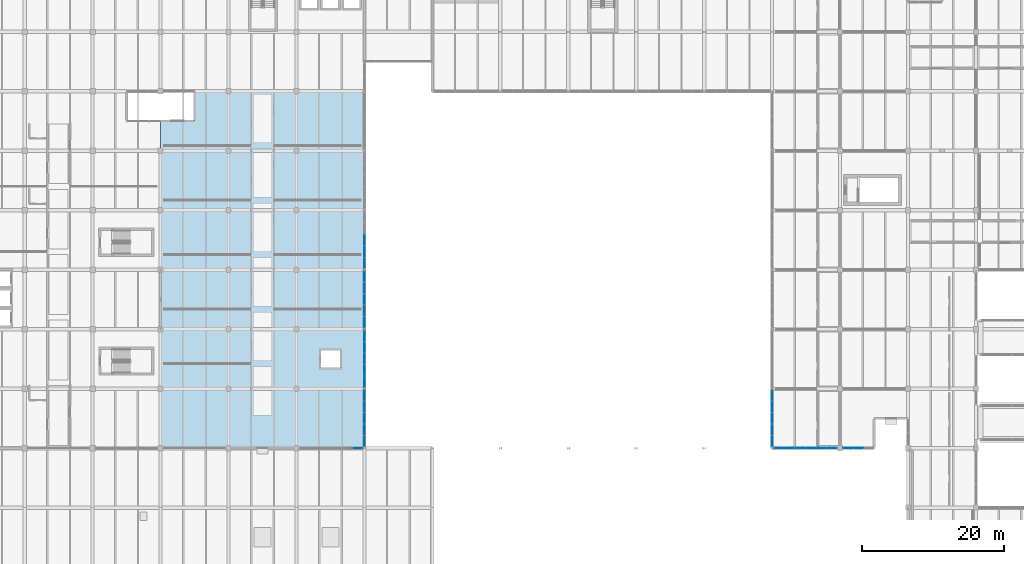
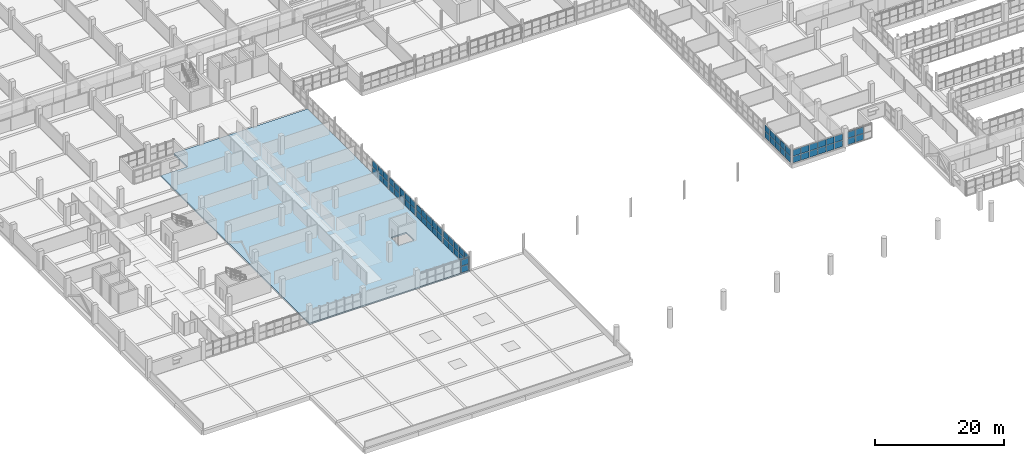
# One storey, part 92 of 147: 64 plates, 1 slab, 8 elements without a shape of their own.
"""IFC4 building model written with IfcOpenShell, lengths in metres."""

from ifc_helpers import new_model, si_unit, direction, frame, origin, origin_2d, place, context, subcontext, project, spatial, polyline, rectangle, outline, extrude, material, layer, layer_set, type_object, element, aggregate, save


model = new_model("IFC4")

# Units and contexts
model_context = context("Model", 3, precision=1e-05, world=origin(), true_north=direction((0.0, 1.0)))
body_context = subcontext(model_context, "Body", "Model", "MODEL_VIEW")
ifc_project = project(units=[si_unit("LENGTHUNIT", "METRE"), si_unit("AREAUNIT", "SQUARE_METRE"), si_unit("VOLUMEUNIT", "CUBIC_METRE"), si_unit("PLANEANGLEUNIT", "RADIAN"), si_unit("MASSUNIT", "GRAM", prefix="KILO")], contexts=[model_context])

# Site, building, storey
site_placement = place(None, origin())
site = spatial("IfcSite", under=ifc_project, at=site_placement, CompositionType="ELEMENT")
building_placement = place(site_placement, origin())
building = spatial("IfcBuilding", under=site, at=building_placement, Name="Oolite Switchyard Hospital", CompositionType="ELEMENT")
storey_placement = place(building_placement, frame((0.0, 0.0, 9.89990234375)))
storey = spatial("IfcBuildingStorey", under=building, at=storey_placement, Name="L02", CompositionType="ELEMENT", Elevation=9.89990234375)

# Curtain wall, plates
ifc_material_1 = material(Name="Thermally broken aluminum frame with laminated impact glazing", Category="aluminium")
curtain_wall_type_1 = type_object("IfcCurtainWallType", Name="CW-UNIT-84X36", PredefinedType="USERDEFINED", material=ifc_material_1)
curtain_wall_1_placement = place(storey_placement, origin())
curtain_wall_1 = element("IfcCurtainWall", 1, at=curtain_wall_1_placement, inside=storey, type_object=curtain_wall_type_1, Name="L02 Unitised Curtain Wall 226", ObjectType="UNITISED", PredefinedType="USERDEFINED")
ifc_material_2 = material(Name="Insulated fluoropolymer-coated aluminum spandrel panel", Category="aluminium")
ifc_layer_1 = layer(ifc_material_2, 0.054931640625)
ifc_layer_set_1 = layer_set([ifc_layer_1], Name="CW-PNL-SPN55")
plate_type_1 = type_object("IfcPlateType", Name="CW-PNL-SPN55", PredefinedType="CURTAIN_PANEL", material=ifc_layer_set_1)
plate_1_placement = place(storey_placement, frame((127.39501953125, 33.60009765625, 0.06005859375), z_axis=(0.0, 0.0, 1.0), x_axis=(-1.0, 0.0, 0.0)))
plate_1 = element("IfcPlate", 2, at=plate_1_placement, type_object=plate_type_1, Name="CW-08 panel 2.1", PredefinedType="CURTAIN_PANEL", context=body_context, shape_type="SweptSolid", body=[
    extrude(rectangle(XDim=1.409912109375, YDim=0.054931640625, at=origin_2d()), origin(), (0.0, 0.0, 1.0), 1.195068359375),
])
plate_2_placement = place(storey_placement, frame((127.39501953125, 33.60009765625, 1.31494140625), z_axis=(0.0, 0.0, 1.0), x_axis=(-1.0, 0.0, 0.0)))
plate_2 = element("IfcPlate", 3, at=plate_2_placement, type_object=plate_type_1, Name="CW-08 panel 2.2", PredefinedType="CURTAIN_PANEL", context=body_context, shape_type="SweptSolid", body=[
    extrude(rectangle(XDim=1.409912109375, YDim=0.054931640625, at=origin_2d()), origin(), (0.0, 0.0, 1.0), 1.195068359375),
])
plate_3_placement = place(storey_placement, frame((125.93994140625, 33.60009765625, 0.06005859375), z_axis=(0.0, 0.0, 1.0), x_axis=(-1.0, 0.0, 0.0)))
plate_3 = element("IfcPlate", 4, at=plate_3_placement, type_object=plate_type_1, Name="CW-08 panel 3.1", PredefinedType="CURTAIN_PANEL", context=body_context, shape_type="SweptSolid", body=[
    extrude(rectangle(XDim=1.3798828125, YDim=0.054931640625, at=origin_2d()), origin(), (0.0, 0.0, 1.0), 1.195068359375),
])
plate_4_placement = place(storey_placement, frame((125.93994140625, 33.60009765625, 1.31494140625), z_axis=(0.0, 0.0, 1.0), x_axis=(-1.0, 0.0, 0.0)))
plate_4 = element("IfcPlate", 5, at=plate_4_placement, type_object=plate_type_1, Name="CW-08 panel 3.2", PredefinedType="CURTAIN_PANEL", context=body_context, shape_type="SweptSolid", body=[
    extrude(rectangle(XDim=1.3798828125, YDim=0.054931640625, at=origin_2d()), origin(), (0.0, 0.0, 1.0), 1.195068359375),
])
aggregate(curtain_wall_1, [plate_1, plate_2, plate_3, plate_4])

curtain_wall_2_placement = place(storey_placement, origin())
curtain_wall_2 = element("IfcCurtainWall", 6, at=curtain_wall_2_placement, inside=storey, type_object=curtain_wall_type_1, Name="L02 Unitised Curtain Wall 282", ObjectType="UNITISED", PredefinedType="USERDEFINED")
plate_5_placement = place(storey_placement, frame((57.60009765625, 57.82763671875, 0.06005859375), z_axis=(0.0, 0.0, 1.0), x_axis=(0.0, -1.0, 0.0)))
plate_5 = element("IfcPlate", 7, at=plate_5_placement, type_object=plate_type_1, Name="CW-08 panel 1.1", PredefinedType="CURTAIN_PANEL", context=body_context, shape_type="SweptSolid", body=[
    extrude(rectangle(XDim=1.5107421875, YDim=0.054931640625, at=origin_2d()), origin(), (0.0, 0.0, 1.0), 1.195068359375),
])
plate_6_placement = place(storey_placement, frame((57.60009765625, 57.82763671875, 1.31494140625), z_axis=(0.0, 0.0, 1.0), x_axis=(0.0, -1.0, 0.0)))
plate_6 = element("IfcPlate", 8, at=plate_6_placement, type_object=plate_type_1, Name="CW-08 panel 1.2", PredefinedType="CURTAIN_PANEL", context=body_context, shape_type="SweptSolid", body=[
    extrude(rectangle(XDim=1.5107421875, YDim=0.054931640625, at=origin_2d()), origin(), (0.0, 0.0, 1.0), 1.195068359375),
])
plate_7_placement = place(storey_placement, frame((57.60009765625, 56.22314453125, 0.06005859375), z_axis=(0.0, 0.0, 1.0), x_axis=(0.0, -1.0, 0.0)))
plate_7 = element("IfcPlate", 9, at=plate_7_placement, type_object=plate_type_1, Name="CW-08 panel 2.1", PredefinedType="CURTAIN_PANEL", context=body_context, shape_type="SweptSolid", body=[
    extrude(rectangle(XDim=1.548095703125, YDim=0.054931640625, at=origin_2d()), origin(), (0.0, 0.0, 1.0), 1.195068359375),
])
plate_8_placement = place(storey_placement, frame((57.60009765625, 56.22314453125, 1.31494140625), z_axis=(0.0, 0.0, 1.0), x_axis=(0.0, -1.0, 0.0)))
plate_8 = element("IfcPlate", 10, at=plate_8_placement, type_object=plate_type_1, Name="CW-08 panel 2.2", PredefinedType="CURTAIN_PANEL", context=body_context, shape_type="SweptSolid", body=[
    extrude(rectangle(XDim=1.548095703125, YDim=0.054931640625, at=origin_2d()), origin(), (0.0, 0.0, 1.0), 1.195068359375),
])
plate_9_placement = place(storey_placement, frame((57.60009765625, 54.60009765625, 0.06005859375), z_axis=(0.0, 0.0, 1.0), x_axis=(0.0, -1.0, 0.0)))
plate_9 = element("IfcPlate", 11, at=plate_9_placement, type_object=plate_type_1, Name="CW-08 panel 3.1", PredefinedType="CURTAIN_PANEL", context=body_context, shape_type="SweptSolid", body=[
    extrude(rectangle(XDim=1.548095703125, YDim=0.054931640625, at=origin_2d()), origin(), (0.0, 0.0, 1.0), 1.195068359375),
])
plate_10_placement = place(storey_placement, frame((57.60009765625, 54.60009765625, 1.31494140625), z_axis=(0.0, 0.0, 1.0), x_axis=(0.0, -1.0, 0.0)))
plate_10 = element("IfcPlate", 12, at=plate_10_placement, type_object=plate_type_1, Name="CW-08 panel 3.2", PredefinedType="CURTAIN_PANEL", context=body_context, shape_type="SweptSolid", body=[
    extrude(rectangle(XDim=1.548095703125, YDim=0.054931640625, at=origin_2d()), origin(), (0.0, 0.0, 1.0), 1.195068359375),
])
plate_11_placement = place(storey_placement, frame((57.60009765625, 52.976806640625, 0.06005859375), z_axis=(0.0, 0.0, 1.0), x_axis=(0.0, -1.0, 0.0)))
plate_11 = element("IfcPlate", 13, at=plate_11_placement, type_object=plate_type_1, Name="CW-08 panel 4.1", PredefinedType="CURTAIN_PANEL", context=body_context, shape_type="SweptSolid", body=[
    extrude(rectangle(XDim=1.548095703125, YDim=0.054931640625, at=origin_2d()), origin(), (0.0, 0.0, 1.0), 1.195068359375),
])
plate_12_placement = place(storey_placement, frame((57.60009765625, 52.976806640625, 1.31494140625), z_axis=(0.0, 0.0, 1.0), x_axis=(0.0, -1.0, 0.0)))
plate_12 = element("IfcPlate", 14, at=plate_12_placement, type_object=plate_type_1, Name="CW-08 panel 4.2", PredefinedType="CURTAIN_PANEL", context=body_context, shape_type="SweptSolid", body=[
    extrude(rectangle(XDim=1.548095703125, YDim=0.054931640625, at=origin_2d()), origin(), (0.0, 0.0, 1.0), 1.195068359375),
])
plate_13_placement = place(storey_placement, frame((57.60009765625, 51.372314453125, 0.06005859375), z_axis=(0.0, 0.0, 1.0), x_axis=(0.0, -1.0, 0.0)))
plate_13 = element("IfcPlate", 15, at=plate_13_placement, type_object=plate_type_1, Name="CW-08 panel 5.1", PredefinedType="CURTAIN_PANEL", context=body_context, shape_type="SweptSolid", body=[
    extrude(rectangle(XDim=1.5107421875, YDim=0.054931640625, at=origin_2d()), origin(), (0.0, 0.0, 1.0), 1.195068359375),
])
plate_14_placement = place(storey_placement, frame((57.60009765625, 51.372314453125, 1.31494140625), z_axis=(0.0, 0.0, 1.0), x_axis=(0.0, -1.0, 0.0)))
plate_14 = element("IfcPlate", 16, at=plate_14_placement, type_object=plate_type_1, Name="CW-08 panel 5.2", PredefinedType="CURTAIN_PANEL", context=body_context, shape_type="SweptSolid", body=[
    extrude(rectangle(XDim=1.5107421875, YDim=0.054931640625, at=origin_2d()), origin(), (0.0, 0.0, 1.0), 1.195068359375),
])
aggregate(curtain_wall_2, [plate_5, plate_6, plate_7, plate_8, plate_9, plate_10, plate_11, plate_12, plate_13, plate_14])

curtain_wall_3_placement = place(storey_placement, origin())
curtain_wall_3 = element("IfcCurtainWall", 17, at=curtain_wall_3_placement, inside=storey, type_object=curtain_wall_type_1, Name="L02 Unitised Curtain Wall 283", ObjectType="UNITISED", PredefinedType="USERDEFINED")
ifc_layer_2 = layer(ifc_material_2, 0.070068359375)
ifc_layer_set_2 = layer_set([ifc_layer_2], Name="CW-PNL-SPN70")
plate_type_2 = type_object("IfcPlateType", Name="CW-PNL-SPN70", PredefinedType="CURTAIN_PANEL", material=ifc_layer_set_2)
plate_15_placement = place(storey_placement, frame((57.60009765625, 49.431396484375, 0.0751953125), z_axis=(0.0, 0.0, 1.0), x_axis=(0.0, -1.0, 0.0)))
plate_15 = element("IfcPlate", 18, at=plate_15_placement, type_object=plate_type_2, Name="CW-08 panel 1.1", PredefinedType="CURTAIN_PANEL", context=body_context, shape_type="SweptSolid", body=[
    extrude(rectangle(XDim=1.533203125, YDim=0.070068359375, at=origin_2d()), origin(), (0.0, 0.0, 1.0), 1.172607421875),
])
plate_16_placement = place(storey_placement, frame((57.60009765625, 49.431396484375, 1.32275390625), z_axis=(0.0, 0.0, 1.0), x_axis=(0.0, -1.0, 0.0)))
plate_16 = element("IfcPlate", 19, at=plate_16_placement, type_object=plate_type_2, Name="CW-08 panel 1.2", PredefinedType="CURTAIN_PANEL", context=body_context, shape_type="SweptSolid", body=[
    extrude(rectangle(XDim=1.533203125, YDim=0.070068359375, at=origin_2d()), origin(), (0.0, 0.0, 1.0), 1.172607421875),
])
plate_17_placement = place(storey_placement, frame((57.60009765625, 47.8232421875, 0.0751953125), z_axis=(0.0, 0.0, 1.0), x_axis=(0.0, -1.0, 0.0)))
plate_17 = element("IfcPlate", 20, at=plate_17_placement, type_object=plate_type_2, Name="CW-08 panel 2.1", PredefinedType="CURTAIN_PANEL", context=body_context, shape_type="SweptSolid", body=[
    extrude(rectangle(XDim=1.563232421875, YDim=0.070068359375, at=origin_2d()), origin(), (0.0, 0.0, 1.0), 1.172607421875),
])
plate_18_placement = place(storey_placement, frame((57.60009765625, 47.8232421875, 1.32275390625), z_axis=(0.0, 0.0, 1.0), x_axis=(0.0, -1.0, 0.0)))
plate_18 = element("IfcPlate", 21, at=plate_18_placement, type_object=plate_type_2, Name="CW-08 panel 2.2", PredefinedType="CURTAIN_PANEL", context=body_context, shape_type="SweptSolid", body=[
    extrude(rectangle(XDim=1.563232421875, YDim=0.070068359375, at=origin_2d()), origin(), (0.0, 0.0, 1.0), 1.172607421875),
])
plate_19_placement = place(storey_placement, frame((57.60009765625, 46.199951171875, 0.0751953125), z_axis=(0.0, 0.0, 1.0), x_axis=(0.0, -1.0, 0.0)))
plate_19 = element("IfcPlate", 22, at=plate_19_placement, type_object=plate_type_2, Name="CW-08 panel 3.1", PredefinedType="CURTAIN_PANEL", context=body_context, shape_type="SweptSolid", body=[
    extrude(rectangle(XDim=1.563232421875, YDim=0.070068359375, at=origin_2d()), origin(), (0.0, 0.0, 1.0), 1.172607421875),
])
plate_20_placement = place(storey_placement, frame((57.60009765625, 46.199951171875, 1.32275390625), z_axis=(0.0, 0.0, 1.0), x_axis=(0.0, -1.0, 0.0)))
plate_20 = element("IfcPlate", 23, at=plate_20_placement, type_object=plate_type_2, Name="CW-08 panel 3.2", PredefinedType="CURTAIN_PANEL", context=body_context, shape_type="SweptSolid", body=[
    extrude(rectangle(XDim=1.563232421875, YDim=0.070068359375, at=origin_2d()), origin(), (0.0, 0.0, 1.0), 1.172607421875),
])
plate_21_placement = place(storey_placement, frame((57.60009765625, 44.576904296875, 0.0751953125), z_axis=(0.0, 0.0, 1.0), x_axis=(0.0, -1.0, 0.0)))
plate_21 = element("IfcPlate", 24, at=plate_21_placement, type_object=plate_type_2, Name="CW-08 panel 4.1", PredefinedType="CURTAIN_PANEL", context=body_context, shape_type="SweptSolid", body=[
    extrude(rectangle(XDim=1.563232421875, YDim=0.070068359375, at=origin_2d()), origin(), (0.0, 0.0, 1.0), 1.172607421875),
])
plate_22_placement = place(storey_placement, frame((57.60009765625, 44.576904296875, 1.32275390625), z_axis=(0.0, 0.0, 1.0), x_axis=(0.0, -1.0, 0.0)))
plate_22 = element("IfcPlate", 25, at=plate_22_placement, type_object=plate_type_2, Name="CW-08 panel 4.2", PredefinedType="CURTAIN_PANEL", context=body_context, shape_type="SweptSolid", body=[
    extrude(rectangle(XDim=1.563232421875, YDim=0.070068359375, at=origin_2d()), origin(), (0.0, 0.0, 1.0), 1.172607421875),
])
plate_23_placement = place(storey_placement, frame((57.60009765625, 42.968505859375, 0.0751953125), z_axis=(0.0, 0.0, 1.0), x_axis=(0.0, -1.0, 0.0)))
plate_23 = element("IfcPlate", 26, at=plate_23_placement, type_object=plate_type_2, Name="CW-08 panel 5.1", PredefinedType="CURTAIN_PANEL", context=body_context, shape_type="SweptSolid", body=[
    extrude(rectangle(XDim=1.533203125, YDim=0.070068359375, at=origin_2d()), origin(), (0.0, 0.0, 1.0), 1.172607421875),
])
plate_24_placement = place(storey_placement, frame((57.60009765625, 42.968505859375, 1.32275390625), z_axis=(0.0, 0.0, 1.0), x_axis=(0.0, -1.0, 0.0)))
plate_24 = element("IfcPlate", 27, at=plate_24_placement, type_object=plate_type_2, Name="CW-08 panel 5.2", PredefinedType="CURTAIN_PANEL", context=body_context, shape_type="SweptSolid", body=[
    extrude(rectangle(XDim=1.533203125, YDim=0.070068359375, at=origin_2d()), origin(), (0.0, 0.0, 1.0), 1.172607421875),
])
aggregate(curtain_wall_3, [plate_15, plate_16, plate_17, plate_18, plate_19, plate_20, plate_21, plate_22, plate_23, plate_24])

curtain_wall_4_placement = place(storey_placement, origin())
curtain_wall_4 = element("IfcCurtainWall", 28, at=curtain_wall_4_placement, inside=storey, type_object=curtain_wall_type_1, Name="L02 Unitised Curtain Wall 291", ObjectType="UNITISED", PredefinedType="USERDEFINED")
plate_25_placement = place(storey_placement, frame((115.199951171875, 34.588623046875, 0.0751953125), z_axis=(0.0, 0.0, 1.0), x_axis=(0.0, 1.0, 0.0)))
plate_25 = element("IfcPlate", 29, at=plate_25_placement, type_object=plate_type_2, Name="CW-08 panel 1.1", PredefinedType="CURTAIN_PANEL", context=body_context, shape_type="SweptSolid", body=[
    extrude(rectangle(XDim=1.507080078125, YDim=0.070068359375, at=origin_2d()), origin(), (0.0, 0.0, 1.0), 1.172607421875),
])
plate_26_placement = place(storey_placement, frame((115.199951171875, 34.588623046875, 1.32275390625), z_axis=(0.0, 0.0, 1.0), x_axis=(0.0, 1.0, 0.0)))
plate_26 = element("IfcPlate", 30, at=plate_26_placement, type_object=plate_type_2, Name="CW-08 panel 1.2", PredefinedType="CURTAIN_PANEL", context=body_context, shape_type="SweptSolid", body=[
    extrude(rectangle(XDim=1.507080078125, YDim=0.070068359375, at=origin_2d()), origin(), (0.0, 0.0, 1.0), 1.172607421875),
])
plate_27_placement = place(storey_placement, frame((115.199951171875, 36.189453125, 0.0751953125), z_axis=(0.0, 0.0, 1.0), x_axis=(0.0, 1.0, 0.0)))
plate_27 = element("IfcPlate", 31, at=plate_27_placement, type_object=plate_type_2, Name="CW-08 panel 2.1", PredefinedType="CURTAIN_PANEL", context=body_context, shape_type="SweptSolid", body=[
    extrude(rectangle(XDim=1.544677734375, YDim=0.070068359375, at=origin_2d()), origin(), (0.0, 0.0, 1.0), 1.172607421875),
])
plate_28_placement = place(storey_placement, frame((115.199951171875, 36.189453125, 1.32275390625), z_axis=(0.0, 0.0, 1.0), x_axis=(0.0, 1.0, 0.0)))
plate_28 = element("IfcPlate", 32, at=plate_28_placement, type_object=plate_type_2, Name="CW-08 panel 2.2", PredefinedType="CURTAIN_PANEL", context=body_context, shape_type="SweptSolid", body=[
    extrude(rectangle(XDim=1.544677734375, YDim=0.070068359375, at=origin_2d()), origin(), (0.0, 0.0, 1.0), 1.172607421875),
])
plate_29_placement = place(storey_placement, frame((115.199951171875, 37.80908203125, 0.0751953125), z_axis=(0.0, 0.0, 1.0), x_axis=(0.0, 1.0, 0.0)))
plate_29 = element("IfcPlate", 33, at=plate_29_placement, type_object=plate_type_2, Name="CW-08 panel 3.1", PredefinedType="CURTAIN_PANEL", context=body_context, shape_type="SweptSolid", body=[
    extrude(rectangle(XDim=1.544677734375, YDim=0.070068359375, at=origin_2d()), origin(), (0.0, 0.0, 1.0), 1.172607421875),
])
plate_30_placement = place(storey_placement, frame((115.199951171875, 37.80908203125, 1.32275390625), z_axis=(0.0, 0.0, 1.0), x_axis=(0.0, 1.0, 0.0)))
plate_30 = element("IfcPlate", 34, at=plate_30_placement, type_object=plate_type_2, Name="CW-08 panel 3.2", PredefinedType="CURTAIN_PANEL", context=body_context, shape_type="SweptSolid", body=[
    extrude(rectangle(XDim=1.544677734375, YDim=0.070068359375, at=origin_2d()), origin(), (0.0, 0.0, 1.0), 1.172607421875),
])
plate_31_placement = place(storey_placement, frame((115.199951171875, 39.4287109375, 0.0751953125), z_axis=(0.0, 0.0, 1.0), x_axis=(0.0, 1.0, 0.0)))
plate_31 = element("IfcPlate", 35, at=plate_31_placement, type_object=plate_type_2, Name="CW-08 panel 4.1", PredefinedType="CURTAIN_PANEL", context=body_context, shape_type="SweptSolid", body=[
    extrude(rectangle(XDim=1.544677734375, YDim=0.070068359375, at=origin_2d()), origin(), (0.0, 0.0, 1.0), 1.172607421875),
])
plate_32_placement = place(storey_placement, frame((115.199951171875, 39.4287109375, 1.32275390625), z_axis=(0.0, 0.0, 1.0), x_axis=(0.0, 1.0, 0.0)))
plate_32 = element("IfcPlate", 36, at=plate_32_placement, type_object=plate_type_2, Name="CW-08 panel 4.2", PredefinedType="CURTAIN_PANEL", context=body_context, shape_type="SweptSolid", body=[
    extrude(rectangle(XDim=1.544677734375, YDim=0.070068359375, at=origin_2d()), origin(), (0.0, 0.0, 1.0), 1.172607421875),
])
plate_33_placement = place(storey_placement, frame((115.199951171875, 41.029541015625, 0.0751953125), z_axis=(0.0, 0.0, 1.0), x_axis=(0.0, 1.0, 0.0)))
plate_33 = element("IfcPlate", 37, at=plate_33_placement, type_object=plate_type_2, Name="CW-08 panel 5.1", PredefinedType="CURTAIN_PANEL", context=body_context, shape_type="SweptSolid", body=[
    extrude(rectangle(XDim=1.507080078125, YDim=0.070068359375, at=origin_2d()), origin(), (0.0, 0.0, 1.0), 1.172607421875),
])
plate_34_placement = place(storey_placement, frame((115.199951171875, 41.029541015625, 1.32275390625), z_axis=(0.0, 0.0, 1.0), x_axis=(0.0, 1.0, 0.0)))
plate_34 = element("IfcPlate", 38, at=plate_34_placement, type_object=plate_type_2, Name="CW-08 panel 5.2", PredefinedType="CURTAIN_PANEL", context=body_context, shape_type="SweptSolid", body=[
    extrude(rectangle(XDim=1.507080078125, YDim=0.070068359375, at=origin_2d()), origin(), (0.0, 0.0, 1.0), 1.172607421875),
])
aggregate(curtain_wall_4, [plate_25, plate_26, plate_27, plate_28, plate_29, plate_30, plate_31, plate_32, plate_33, plate_34])

curtain_wall_type_2 = type_object("IfcCurtainWallType", Name="CW-UNIT-96X36", PredefinedType="USERDEFINED", material=ifc_material_1)
curtain_wall_5_placement = place(storey_placement, origin())
curtain_wall_5 = element("IfcCurtainWall", 39, at=curtain_wall_5_placement, inside=storey, type_object=curtain_wall_type_2, Name="L02 Unitised Curtain Wall 224", ObjectType="UNITISED", PredefinedType="USERDEFINED")
ifc_material_3 = material(Name="Laminated hurricane-impact insulated glazing unit", Category="glass")
ifc_layer_3 = layer(ifc_material_3, 0.028076171875)
ifc_layer_set_3 = layer_set([ifc_layer_3], Name="CW-PNL-VIS28")
plate_type_3 = type_object("IfcPlateType", Name="CW-PNL-VIS28", PredefinedType="CURTAIN_PANEL", material=ifc_layer_set_3)
plate_35_placement = place(storey_placement, frame((56.63818359375, 33.60009765625, 0.06005859375), z_axis=(0.0, 0.0, 1.0), x_axis=(-1.0, 0.0, 0.0)))
plate_35 = element("IfcPlate", 40, at=plate_35_placement, type_object=plate_type_3, Name="CW-03 panel 1.1", PredefinedType="CURTAIN_PANEL", context=body_context, shape_type="SweptSolid", body=[
    extrude(rectangle(XDim=1.39794921875, YDim=0.028076171875, at=origin_2d()), origin(), (0.0, 0.0, 1.0), 1.195068359375),
])
plate_36_placement = place(storey_placement, frame((56.63818359375, 33.60009765625, 1.31494140625), z_axis=(0.0, 0.0, 1.0), x_axis=(-1.0, 0.0, 0.0)))
plate_36 = element("IfcPlate", 41, at=plate_36_placement, type_object=plate_type_3, Name="CW-03 panel 1.2", PredefinedType="CURTAIN_PANEL", context=body_context, shape_type="SweptSolid", body=[
    extrude(rectangle(XDim=1.39794921875, YDim=0.028076171875, at=origin_2d()), origin(), (0.0, 0.0, 1.0), 1.195068359375),
])
aggregate(curtain_wall_5, [plate_35, plate_36])

curtain_wall_6_placement = place(storey_placement, origin())
curtain_wall_6 = element("IfcCurtainWall", 42, at=curtain_wall_6_placement, inside=storey, type_object=curtain_wall_type_1, Name="L02 Unitised Curtain Wall 284", ObjectType="UNITISED", PredefinedType="USERDEFINED")
plate_37_placement = place(storey_placement, frame((57.60009765625, 41.03076171875, 0.06005859375), z_axis=(0.0, 0.0, 1.0), x_axis=(0.0, -1.0, 0.0)))
plate_37 = element("IfcPlate", 43, at=plate_37_placement, type_object=plate_type_3, Name="CW-08 panel 1.1", PredefinedType="CURTAIN_PANEL", context=body_context, shape_type="SweptSolid", body=[
    extrude(rectangle(XDim=1.5146484375, YDim=0.028076171875, at=origin_2d()), origin(), (0.0, 0.0, 1.0), 1.195068359375),
])
plate_38_placement = place(storey_placement, frame((57.60009765625, 41.03076171875, 1.31494140625), z_axis=(0.0, 0.0, 1.0), x_axis=(0.0, -1.0, 0.0)))
plate_38 = element("IfcPlate", 44, at=plate_38_placement, type_object=plate_type_3, Name="CW-08 panel 1.2", PredefinedType="CURTAIN_PANEL", context=body_context, shape_type="SweptSolid", body=[
    extrude(rectangle(XDim=1.5146484375, YDim=0.028076171875, at=origin_2d()), origin(), (0.0, 0.0, 1.0), 1.195068359375),
])
plate_39_placement = place(storey_placement, frame((57.60009765625, 39.4287109375, 0.06005859375), z_axis=(0.0, 0.0, 1.0), x_axis=(0.0, -1.0, 0.0)))
plate_39 = element("IfcPlate", 45, at=plate_39_placement, type_object=plate_type_3, Name="CW-08 panel 2.1", PredefinedType="CURTAIN_PANEL", context=body_context, shape_type="SweptSolid", body=[
    extrude(rectangle(XDim=1.549560546875, YDim=0.028076171875, at=origin_2d()), origin(), (0.0, 0.0, 1.0), 1.195068359375),
])
plate_40_placement = place(storey_placement, frame((57.60009765625, 39.4287109375, 1.31494140625), z_axis=(0.0, 0.0, 1.0), x_axis=(0.0, -1.0, 0.0)))
plate_40 = element("IfcPlate", 46, at=plate_40_placement, type_object=plate_type_3, Name="CW-08 panel 2.2", PredefinedType="CURTAIN_PANEL", context=body_context, shape_type="SweptSolid", body=[
    extrude(rectangle(XDim=1.549560546875, YDim=0.028076171875, at=origin_2d()), origin(), (0.0, 0.0, 1.0), 1.195068359375),
])
plate_41_placement = place(storey_placement, frame((57.60009765625, 37.80908203125, 0.06005859375), z_axis=(0.0, 0.0, 1.0), x_axis=(0.0, -1.0, 0.0)))
plate_41 = element("IfcPlate", 47, at=plate_41_placement, type_object=plate_type_3, Name="CW-08 panel 3.1", PredefinedType="CURTAIN_PANEL", context=body_context, shape_type="SweptSolid", body=[
    extrude(rectangle(XDim=1.549560546875, YDim=0.028076171875, at=origin_2d()), origin(), (0.0, 0.0, 1.0), 1.195068359375),
])
plate_42_placement = place(storey_placement, frame((57.60009765625, 37.80908203125, 1.31494140625), z_axis=(0.0, 0.0, 1.0), x_axis=(0.0, -1.0, 0.0)))
plate_42 = element("IfcPlate", 48, at=plate_42_placement, type_object=plate_type_3, Name="CW-08 panel 3.2", PredefinedType="CURTAIN_PANEL", context=body_context, shape_type="SweptSolid", body=[
    extrude(rectangle(XDim=1.549560546875, YDim=0.028076171875, at=origin_2d()), origin(), (0.0, 0.0, 1.0), 1.195068359375),
])
plate_43_placement = place(storey_placement, frame((57.60009765625, 36.189453125, 0.06005859375), z_axis=(0.0, 0.0, 1.0), x_axis=(0.0, -1.0, 0.0)))
plate_43 = element("IfcPlate", 49, at=plate_43_placement, type_object=plate_type_3, Name="CW-08 panel 4.1", PredefinedType="CURTAIN_PANEL", context=body_context, shape_type="SweptSolid", body=[
    extrude(rectangle(XDim=1.549560546875, YDim=0.028076171875, at=origin_2d()), origin(), (0.0, 0.0, 1.0), 1.195068359375),
])
plate_44_placement = place(storey_placement, frame((57.60009765625, 36.189453125, 1.31494140625), z_axis=(0.0, 0.0, 1.0), x_axis=(0.0, -1.0, 0.0)))
plate_44 = element("IfcPlate", 50, at=plate_44_placement, type_object=plate_type_3, Name="CW-08 panel 4.2", PredefinedType="CURTAIN_PANEL", context=body_context, shape_type="SweptSolid", body=[
    extrude(rectangle(XDim=1.549560546875, YDim=0.028076171875, at=origin_2d()), origin(), (0.0, 0.0, 1.0), 1.195068359375),
])
plate_45_placement = place(storey_placement, frame((57.60009765625, 34.58740234375, 0.06005859375), z_axis=(0.0, 0.0, 1.0), x_axis=(0.0, -1.0, 0.0)))
plate_45 = element("IfcPlate", 51, at=plate_45_placement, type_object=plate_type_3, Name="CW-08 panel 5.1", PredefinedType="CURTAIN_PANEL", context=body_context, shape_type="SweptSolid", body=[
    extrude(rectangle(XDim=1.5146484375, YDim=0.028076171875, at=origin_2d()), origin(), (0.0, 0.0, 1.0), 1.195068359375),
])
plate_46_placement = place(storey_placement, frame((57.60009765625, 34.58740234375, 1.31494140625), z_axis=(0.0, 0.0, 1.0), x_axis=(0.0, -1.0, 0.0)))
plate_46 = element("IfcPlate", 52, at=plate_46_placement, type_object=plate_type_3, Name="CW-08 panel 5.2", PredefinedType="CURTAIN_PANEL", context=body_context, shape_type="SweptSolid", body=[
    extrude(rectangle(XDim=1.5146484375, YDim=0.028076171875, at=origin_2d()), origin(), (0.0, 0.0, 1.0), 1.195068359375),
])
aggregate(curtain_wall_6, [plate_37, plate_38, plate_39, plate_40, plate_41, plate_42, plate_43, plate_44, plate_45, plate_46])

curtain_wall_7_placement = place(storey_placement, origin())
curtain_wall_7 = element("IfcCurtainWall", 53, at=curtain_wall_7_placement, inside=storey, type_object=curtain_wall_type_2, Name="L02 Unitised Curtain Wall 225", ObjectType="UNITISED", PredefinedType="USERDEFINED")
ifc_layer_4 = layer(ifc_material_3, 0.035888671875)
ifc_layer_set_4 = layer_set([ifc_layer_4], Name="CW-PNL-VIS36")
plate_type_4 = type_object("IfcPlateType", Name="CW-PNL-VIS36", PredefinedType="CURTAIN_PANEL", material=ifc_layer_set_4)
plate_47_placement = place(storey_placement, frame((123.639892578125, 33.60009765625, 0.0751953125), z_axis=(0.0, 0.0, 1.0), x_axis=(-1.0, 0.0, 0.0)))
plate_47 = element("IfcPlate", 54, at=plate_47_placement, type_object=plate_type_4, Name="CW-03 panel 1.1", PredefinedType="CURTAIN_PANEL", context=body_context, shape_type="SweptSolid", body=[
    extrude(rectangle(XDim=1.390380859375, YDim=0.035888671875, at=origin_2d()), origin(), (0.0, 0.0, 1.0), 1.172607421875),
])
plate_48_placement = place(storey_placement, frame((123.639892578125, 33.60009765625, 1.32275390625), z_axis=(0.0, 0.0, 1.0), x_axis=(-1.0, 0.0, 0.0)))
plate_48 = element("IfcPlate", 55, at=plate_48_placement, type_object=plate_type_4, Name="CW-03 panel 1.2", PredefinedType="CURTAIN_PANEL", context=body_context, shape_type="SweptSolid", body=[
    extrude(rectangle(XDim=1.390380859375, YDim=0.035888671875, at=origin_2d()), origin(), (0.0, 0.0, 1.0), 1.172607421875),
])
plate_49_placement = place(storey_placement, frame((122.15576171875, 33.60009765625, 0.0751953125), z_axis=(0.0, 0.0, 1.0), x_axis=(-1.0, 0.0, 0.0)))
plate_49 = element("IfcPlate", 56, at=plate_49_placement, type_object=plate_type_4, Name="CW-03 panel 2.1", PredefinedType="CURTAIN_PANEL", context=body_context, shape_type="SweptSolid", body=[
    extrude(rectangle(XDim=1.427734375, YDim=0.035888671875, at=origin_2d()), origin(), (0.0, 0.0, 1.0), 1.172607421875),
])
plate_50_placement = place(storey_placement, frame((122.15576171875, 33.60009765625, 1.32275390625), z_axis=(0.0, 0.0, 1.0), x_axis=(-1.0, 0.0, 0.0)))
plate_50 = element("IfcPlate", 57, at=plate_50_placement, type_object=plate_type_4, Name="CW-03 panel 2.2", PredefinedType="CURTAIN_PANEL", context=body_context, shape_type="SweptSolid", body=[
    extrude(rectangle(XDim=1.427734375, YDim=0.035888671875, at=origin_2d()), origin(), (0.0, 0.0, 1.0), 1.172607421875),
])
plate_51_placement = place(storey_placement, frame((120.65283203125, 33.60009765625, 0.0751953125), z_axis=(0.0, 0.0, 1.0), x_axis=(-1.0, 0.0, 0.0)))
plate_51 = element("IfcPlate", 58, at=plate_51_placement, type_object=plate_type_4, Name="CW-03 panel 3.1", PredefinedType="CURTAIN_PANEL", context=body_context, shape_type="SweptSolid", body=[
    extrude(rectangle(XDim=1.427734375, YDim=0.035888671875, at=origin_2d()), origin(), (0.0, 0.0, 1.0), 1.172607421875),
])
plate_52_placement = place(storey_placement, frame((120.65283203125, 33.60009765625, 1.32275390625), z_axis=(0.0, 0.0, 1.0), x_axis=(-1.0, 0.0, 0.0)))
plate_52 = element("IfcPlate", 59, at=plate_52_placement, type_object=plate_type_4, Name="CW-03 panel 3.2", PredefinedType="CURTAIN_PANEL", context=body_context, shape_type="SweptSolid", body=[
    extrude(rectangle(XDim=1.427734375, YDim=0.035888671875, at=origin_2d()), origin(), (0.0, 0.0, 1.0), 1.172607421875),
])
plate_53_placement = place(storey_placement, frame((119.150146484375, 33.60009765625, 0.0751953125), z_axis=(0.0, 0.0, 1.0), x_axis=(-1.0, 0.0, 0.0)))
plate_53 = element("IfcPlate", 60, at=plate_53_placement, type_object=plate_type_4, Name="CW-03 panel 4.1", PredefinedType="CURTAIN_PANEL", context=body_context, shape_type="SweptSolid", body=[
    extrude(rectangle(XDim=1.427734375, YDim=0.035888671875, at=origin_2d()), origin(), (0.0, 0.0, 1.0), 1.172607421875),
])
plate_54_placement = place(storey_placement, frame((119.150146484375, 33.60009765625, 1.32275390625), z_axis=(0.0, 0.0, 1.0), x_axis=(-1.0, 0.0, 0.0)))
plate_54 = element("IfcPlate", 61, at=plate_54_placement, type_object=plate_type_4, Name="CW-03 panel 4.2", PredefinedType="CURTAIN_PANEL", context=body_context, shape_type="SweptSolid", body=[
    extrude(rectangle(XDim=1.427734375, YDim=0.035888671875, at=origin_2d()), origin(), (0.0, 0.0, 1.0), 1.172607421875),
])
plate_55_placement = place(storey_placement, frame((117.647216796875, 33.60009765625, 0.0751953125), z_axis=(0.0, 0.0, 1.0), x_axis=(-1.0, 0.0, 0.0)))
plate_55 = element("IfcPlate", 62, at=plate_55_placement, type_object=plate_type_4, Name="CW-03 panel 5.1", PredefinedType="CURTAIN_PANEL", context=body_context, shape_type="SweptSolid", body=[
    extrude(rectangle(XDim=1.427734375, YDim=0.035888671875, at=origin_2d()), origin(), (0.0, 0.0, 1.0), 1.172607421875),
])
plate_56_placement = place(storey_placement, frame((117.647216796875, 33.60009765625, 1.32275390625), z_axis=(0.0, 0.0, 1.0), x_axis=(-1.0, 0.0, 0.0)))
plate_56 = element("IfcPlate", 63, at=plate_56_placement, type_object=plate_type_4, Name="CW-03 panel 5.2", PredefinedType="CURTAIN_PANEL", context=body_context, shape_type="SweptSolid", body=[
    extrude(rectangle(XDim=1.427734375, YDim=0.035888671875, at=origin_2d()), origin(), (0.0, 0.0, 1.0), 1.172607421875),
])
plate_57_placement = place(storey_placement, frame((116.1630859375, 33.60009765625, 0.0751953125), z_axis=(0.0, 0.0, 1.0), x_axis=(-1.0, 0.0, 0.0)))
plate_57 = element("IfcPlate", 64, at=plate_57_placement, type_object=plate_type_4, Name="CW-03 panel 6.1", PredefinedType="CURTAIN_PANEL", context=body_context, shape_type="SweptSolid", body=[
    extrude(rectangle(XDim=1.390380859375, YDim=0.035888671875, at=origin_2d()), origin(), (0.0, 0.0, 1.0), 1.172607421875),
])
plate_58_placement = place(storey_placement, frame((116.1630859375, 33.60009765625, 1.32275390625), z_axis=(0.0, 0.0, 1.0), x_axis=(-1.0, 0.0, 0.0)))
plate_58 = element("IfcPlate", 65, at=plate_58_placement, type_object=plate_type_4, Name="CW-03 panel 6.2", PredefinedType="CURTAIN_PANEL", context=body_context, shape_type="SweptSolid", body=[
    extrude(rectangle(XDim=1.390380859375, YDim=0.035888671875, at=origin_2d()), origin(), (0.0, 0.0, 1.0), 1.172607421875),
])
aggregate(curtain_wall_7, [plate_47, plate_48, plate_49, plate_50, plate_51, plate_52, plate_53, plate_54, plate_55, plate_56, plate_57, plate_58])

curtain_wall_8_placement = place(storey_placement, origin())
curtain_wall_8 = element("IfcCurtainWall", 66, at=curtain_wall_8_placement, inside=storey, type_object=curtain_wall_type_1, Name="L02 Unitised Curtain Wall 281", ObjectType="UNITISED", PredefinedType="USERDEFINED")
ifc_layer_5 = layer(ifc_material_3, 0.0419921875)
ifc_layer_set_5 = layer_set([ifc_layer_5], Name="CW-PNL-VIS42")
plate_type_5 = type_object("IfcPlateType", Name="CW-PNL-VIS42", PredefinedType="CURTAIN_PANEL", material=ifc_layer_set_5)
plate_59_placement = place(storey_placement, frame((57.60009765625, 63.0, 0.0751953125), z_axis=(0.0, 0.0, 1.0), x_axis=(0.0, -1.0, 0.0)))
plate_59 = element("IfcPlate", 67, at=plate_59_placement, type_object=plate_type_5, Name="CW-08 panel 3.1", PredefinedType="CURTAIN_PANEL", context=body_context, shape_type="SweptSolid", body=[
    extrude(rectangle(XDim=1.55322265625, YDim=0.0419921875, at=origin_2d()), origin(), (0.0, 0.0, 1.0), 1.172607421875),
])
plate_60_placement = place(storey_placement, frame((57.60009765625, 63.0, 1.32275390625), z_axis=(0.0, 0.0, 1.0), x_axis=(0.0, -1.0, 0.0)))
plate_60 = element("IfcPlate", 68, at=plate_60_placement, type_object=plate_type_5, Name="CW-08 panel 3.2", PredefinedType="CURTAIN_PANEL", context=body_context, shape_type="SweptSolid", body=[
    extrude(rectangle(XDim=1.55322265625, YDim=0.0419921875, at=origin_2d()), origin(), (0.0, 0.0, 1.0), 1.172607421875),
])
plate_61_placement = place(storey_placement, frame((57.60009765625, 61.376708984375, 0.0751953125), z_axis=(0.0, 0.0, 1.0), x_axis=(0.0, -1.0, 0.0)))
plate_61 = element("IfcPlate", 69, at=plate_61_placement, type_object=plate_type_5, Name="CW-08 panel 4.1", PredefinedType="CURTAIN_PANEL", context=body_context, shape_type="SweptSolid", body=[
    extrude(rectangle(XDim=1.55322265625, YDim=0.0419921875, at=origin_2d()), origin(), (0.0, 0.0, 1.0), 1.172607421875),
])
plate_62_placement = place(storey_placement, frame((57.60009765625, 61.376708984375, 1.32275390625), z_axis=(0.0, 0.0, 1.0), x_axis=(0.0, -1.0, 0.0)))
plate_62 = element("IfcPlate", 70, at=plate_62_placement, type_object=plate_type_5, Name="CW-08 panel 4.2", PredefinedType="CURTAIN_PANEL", context=body_context, shape_type="SweptSolid", body=[
    extrude(rectangle(XDim=1.55322265625, YDim=0.0419921875, at=origin_2d()), origin(), (0.0, 0.0, 1.0), 1.172607421875),
])
plate_63_placement = place(storey_placement, frame((57.60009765625, 59.77099609375, 0.0751953125), z_axis=(0.0, 0.0, 1.0), x_axis=(0.0, -1.0, 0.0)))
plate_63 = element("IfcPlate", 71, at=plate_63_placement, type_object=plate_type_5, Name="CW-08 panel 5.1", PredefinedType="CURTAIN_PANEL", context=body_context, shape_type="SweptSolid", body=[
    extrude(rectangle(XDim=1.518310546875, YDim=0.0419921875, at=origin_2d()), origin(), (0.0, 0.0, 1.0), 1.172607421875),
])
plate_64_placement = place(storey_placement, frame((57.60009765625, 59.77099609375, 1.32275390625), z_axis=(0.0, 0.0, 1.0), x_axis=(0.0, -1.0, 0.0)))
plate_64 = element("IfcPlate", 72, at=plate_64_placement, type_object=plate_type_5, Name="CW-08 panel 5.2", PredefinedType="CURTAIN_PANEL", context=body_context, shape_type="SweptSolid", body=[
    extrude(rectangle(XDim=1.518310546875, YDim=0.0419921875, at=origin_2d()), origin(), (0.0, 0.0, 1.0), 1.172607421875),
])
aggregate(curtain_wall_8, [plate_59, plate_60, plate_61, plate_62, plate_63, plate_64])

# Slab
ifc_material_4 = material(Name="Concrete C40/50", Category="concrete")
ifc_layer_6 = layer(ifc_material_4, 0.260009765625)
ifc_layer_set_6 = layer_set([ifc_layer_6], Name="SLB-INT-260")
slab_type = type_object("IfcSlabType", Name="SLB-INT-260", PredefinedType="FLOOR", material=ifc_layer_set_6)
slab_placement = place(storey_placement, frame((0.0, 0.0, -0.260009765625)))
element("IfcSlab", 73, at=slab_placement, inside=storey, type_object=slab_type, Name="L02 V4 Slab V4W", PredefinedType="FLOOR", context=body_context, shape_type="SweptSolid", body=[
    extrude(outline(polyline([(28.800048828125, 33.60009765625), (57.60009765625, 33.60009765625), (57.60009765625, 84.0), (33.60009765625, 84.0), (33.60009765625, 79.800048828125), (28.800048828125, 79.800048828125), (28.800048828125, 33.60009765625)]), holes=[polyline([(51.449951171875, 45.0), (54.14990234375, 45.0), (54.14990234375, 47.39990234375), (51.449951171875, 47.39990234375), (51.449951171875, 45.0)])]), origin(), (0.0, 0.0, 1.0), 0.260009765625),
])

save(model, "model.ifc")
